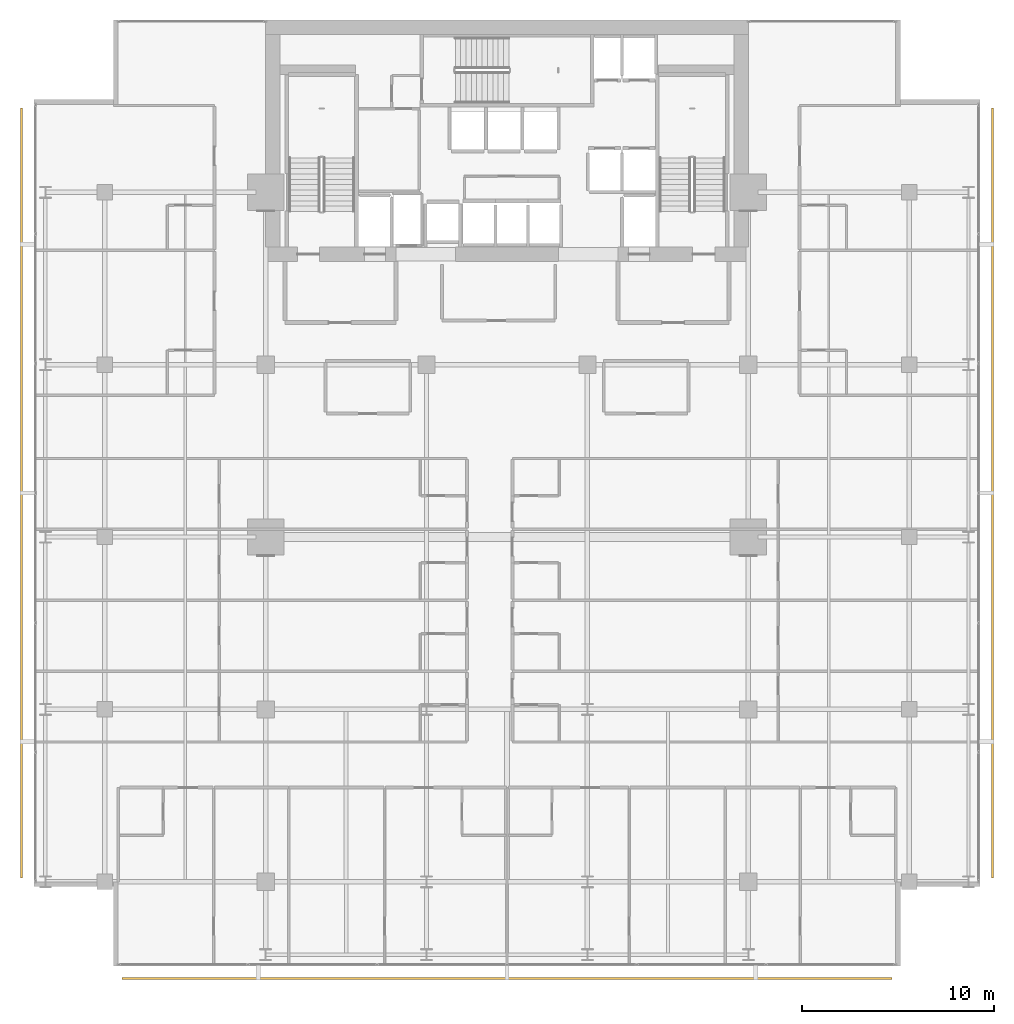
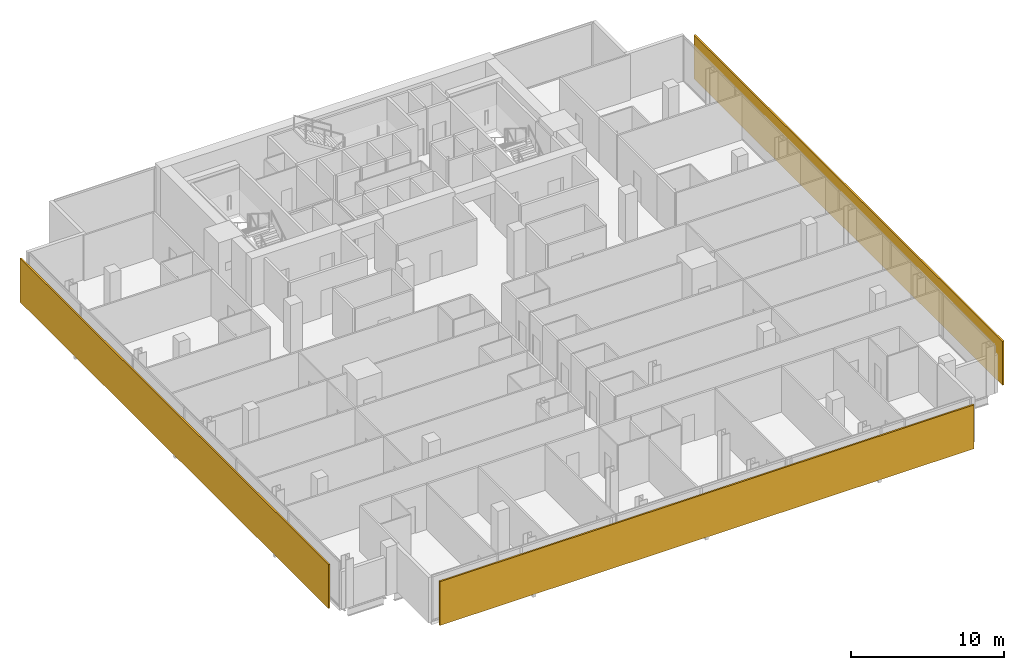
# One storey, part 33 of 34: 3 shading devices.
"""IFC4 building model written with IfcOpenShell, lengths in metres."""

from ifc_helpers import new_model, si_unit, direction, frame, origin, origin_2d, place, context, subcontext, project, spatial, rectangle, extrude, material, layer, layer_set, type_object, element, save


model = new_model("IFC4")

# Units and contexts
model_context = context("Model", 3, precision=1e-05, world=origin(), true_north=direction((0.0, 1.0)))
body_context = subcontext(model_context, "Body", "Model", "MODEL_VIEW")
ifc_project = project(units=[si_unit("LENGTHUNIT", "METRE"), si_unit("AREAUNIT", "SQUARE_METRE"), si_unit("VOLUMEUNIT", "CUBIC_METRE"), si_unit("PLANEANGLEUNIT", "RADIAN"), si_unit("MASSUNIT", "GRAM", prefix="KILO")], contexts=[model_context])

# Site, building, storey
site_placement = place(None, origin())
site = spatial("IfcSite", under=ifc_project, at=site_placement, CompositionType="ELEMENT")
building_placement = place(site_placement, origin())
building = spatial("IfcBuilding", under=site, at=building_placement, Name="Maruvema Waterfront Hotel and Observation Tower", CompositionType="ELEMENT")
storey_placement = place(building_placement, frame((0.0, 0.0, 185.14990234375)))
storey = spatial("IfcBuildingStorey", under=building, at=storey_placement, Name="L45", CompositionType="ELEMENT", Elevation=185.14990234375)

# Shading devices
ifc_material = material(Name="Honed travertine stone and anodised architectural bronze", Category="masonry")
ifc_layer = layer(ifc_material, 0.1201171875, Name="Ventilated Outer Skin Cobogo Stone-and-Bronze Screen 120 mm")
ifc_layer_set = layer_set([ifc_layer], Name="Honed travertine stone and anodised architectural bronze")
shading_device_type = type_object("IfcShadingDeviceType", Name="Ventilated Outer Skin Cobogo Stone-and-Bronze Screen 120 mm", PredefinedType="USERDEFINED", material=ifc_layer_set)
for number, where, z_axis, x_axis, name in (
    (1, (37.800048828125, 3.949951171875, 0.06005859375), (0.0, 0.0, 1.0), (1.0, 0.0, 0.0), "L45 Ventilated Double-Skin Outer Cobogo Screen OS-L45-S"),
    (2, (63.14990234375, 29.300048828125, 0.06005859375), (0.0, 0.0, 1.0), (0.0, 1.0, 0.0), "L45 Ventilated Double-Skin Outer Cobogo Screen OS-L45-E"),
    (3, (12.449951171875, 29.300048828125, 0.06005859375), (0.0, 0.0, 1.0), (0.0, -1.0, 0.0), "L45 Ventilated Double-Skin Outer Cobogo Screen OS-L45-W"),
):
    element("IfcShadingDevice", number, at=place(storey_placement, frame(where, z_axis=z_axis, x_axis=x_axis)), inside=storey, type_object=shading_device_type, Name=name, ObjectType="OUTER SKIN SCREEN", PredefinedType="USERDEFINED", context=body_context, shape_type="SweptSolid", body=[
        extrude(rectangle(XDim=40.199951171875, YDim=0.1201171875, at=origin_2d()), origin(), (0.0, 0.0, 1.0), 3.489990234375),
    ])

save(model, "model.ifc")
